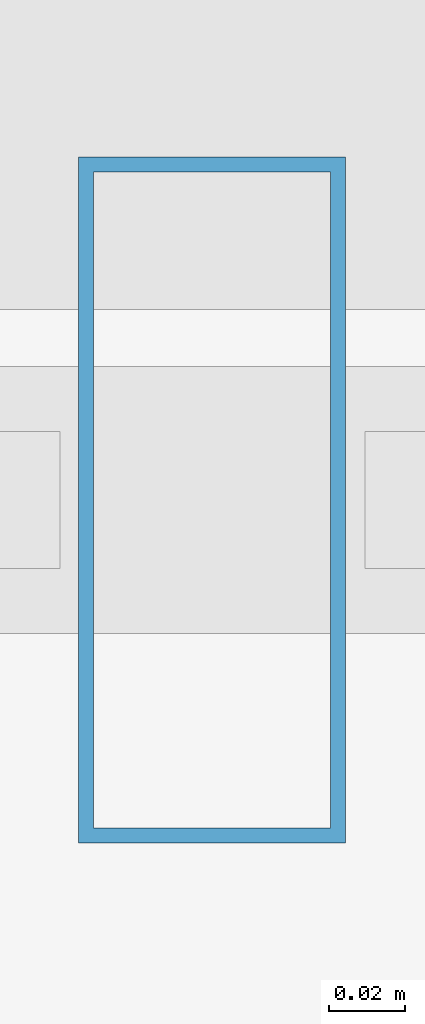
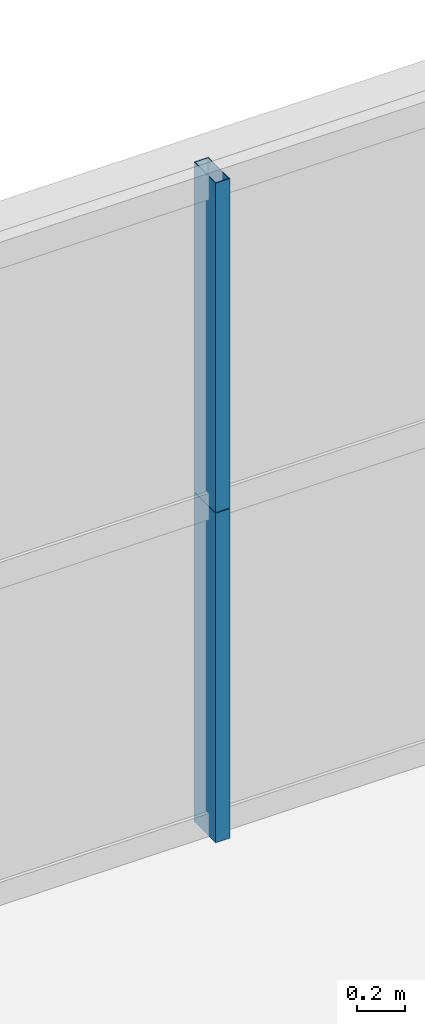
# One storey, part 28 of 43: 2 members, 1 element without a shape of its own.
"""IFC4 building model written with IfcOpenShell, lengths in metres."""

import ifcopenshell
import ifcopenshell.guid

model = None  # the IFC model being written
_history = None  # IfcOwnerHistory: only IFC2X3 demands one
_inside = {}  # id of a spatial element -> (the spatial element, [elements in it])
_under = {}  # id of a project, library or spatial element -> (it, [spatial elements below it])
_declared = {}  # id of a project -> (the project, [libraries it declares])
_typed = {}  # id of a type object -> (the type object, [elements of that type])
_made_of = {}  # id of a material, layer set ... -> (it, [elements and type objects made of it])


def new_model(schema):
    """Start an empty IFC model of exactly this schema.

    Asked for "IFC4X3", IfcOpenShell would pick the latest addendum, in which some entities
    have other attributes; the version numbers below select the first issue.
    IFC2X3 requires an IfcOwnerHistory on every rooted entity: one is made here for all.
    """
    global model, _history
    if schema == "IFC4X3":
        model = ifcopenshell.file(schema_version=(4, 3, 0, 0))
    else:
        model = ifcopenshell.file(schema=schema)
    _inside.clear()
    _under.clear()
    _declared.clear()
    _typed.clear()
    _made_of.clear()
    _history = None
    if model.schema == "IFC2X3":
        org = make("IfcOrganization", Name="unknown")
        user = make(
            "IfcPersonAndOrganization",
            ThePerson=make("IfcPerson", FamilyName="unknown"),
            TheOrganization=org,
        )
        app = make(
            "IfcApplication",
            ApplicationDeveloper=org,
            Version="unknown",
            ApplicationFullName="unknown",
            ApplicationIdentifier="unknown",
        )
        _history = make(
            "IfcOwnerHistory",
            OwningUser=user,
            OwningApplication=app,
            ChangeAction="ADDED",
            CreationDate=0,
        )
    return model


def make(cls, **values):
    """One entity of the class cls with the attributes given. An attribute that is None is left unset."""
    return model.create_entity(
        cls, **{name: value for name, value in values.items() if value is not None}
    )


def rooted(cls, **values):
    """An entity with a GlobalId (a new one), such as an element, a storey or a relation."""
    return make(cls, GlobalId=ifcopenshell.guid.new(), OwnerHistory=_history, **values)


def si_unit(unit_type, name, prefix=None):
    """IfcSIUnit, for example si_unit("LENGTHUNIT", "METRE", prefix="MILLI")."""
    return make("IfcSIUnit", UnitType=unit_type, Prefix=prefix, Name=name)


def assignment(units):
    """IfcUnitAssignment: the units of a project."""
    return None if units is None else make("IfcUnitAssignment", Units=units)


def point(xyz):
    """IfcCartesianPoint."""
    return None if xyz is None else make("IfcCartesianPoint", Coordinates=xyz)


def direction(xyz):
    """IfcDirection."""
    return None if xyz is None else make("IfcDirection", DirectionRatios=xyz)


def frame(location, z_axis=None, x_axis=None):
    """IfcAxis2Placement3D, a coordinate frame: its origin and axes. An axis left out is left unset."""
    return make(
        "IfcAxis2Placement3D",
        Location=point(location),
        Axis=direction(z_axis),
        RefDirection=direction(x_axis),
    )


def frame_2d(location, x_axis=None):
    """IfcAxis2Placement2D, a coordinate frame in the plane: its origin and x axis."""
    return make(
        "IfcAxis2Placement2D", Location=point(location), RefDirection=direction(x_axis)
    )


def origin():
    """The frame at (0, 0, 0) with its axes left unset."""
    return frame((0.0, 0.0, 0.0))


def origin_2d():
    """The frame at (0, 0) in the plane with its x axis left unset."""
    return frame_2d((0.0, 0.0))


def place(relative_to, where):
    """IfcLocalPlacement: puts the frame where relative to a parent placement (None: the world)."""
    return make(
        "IfcLocalPlacement", PlacementRelTo=relative_to, RelativePlacement=where
    )


def context(
    kind, dimensions, precision=None, world=None, true_north=None, identifier=None
):
    """IfcGeometricRepresentationContext, for example the 3D "Model" context."""
    return make(
        "IfcGeometricRepresentationContext",
        ContextIdentifier=identifier,
        ContextType=kind,
        CoordinateSpaceDimension=dimensions,
        Precision=precision,
        WorldCoordinateSystem=world,
        TrueNorth=true_north,
    )


def subcontext(parent, identifier, kind, view, scale=None):
    """IfcGeometricRepresentationSubContext, for example "Body" below "Model"."""
    return make(
        "IfcGeometricRepresentationSubContext",
        ContextIdentifier=identifier,
        ContextType=kind,
        ParentContext=parent,
        TargetScale=scale,
        TargetView=view,
    )


def project(units=None, contexts=None):
    """IfcProject with its units and contexts."""
    return rooted(
        "IfcProject",
        Name="project",
        RepresentationContexts=contexts,
        UnitsInContext=assignment(units),
    )


def spatial(cls, under=None, at=None, **own):
    """A site, building, storey or space (cls), placed at a placement, below another one or the project."""
    s = rooted(cls, ObjectPlacement=at, **own)
    if under is not None:
        _under.setdefault(under.id(), (under, []))[1].append(s)
    return s


def profile(cls, at=None, kind="AREA", **sizes):
    """A parametric profile (cls). Its sizes go by their IFC names, for example OverallWidth=200.0."""
    return make(cls, ProfileType=kind, Position=at, **sizes)


def hollow_rectangle(**sizes):
    """IfcRectangleHollowProfileDef."""
    return profile("IfcRectangleHollowProfileDef", **sizes)


def extrude(swept, where, along, depth):
    """IfcExtrudedAreaSolid: the profile swept, set in the frame where, extruded along a direction by depth."""
    return make(
        "IfcExtrudedAreaSolid",
        SweptArea=swept,
        Position=where,
        ExtrudedDirection=direction(along),
        Depth=depth,
    )


def shape(context_of_items, identifier, shape_type, items):
    """IfcShapeRepresentation: the items that make up one representation, for example the "Body"."""
    return make(
        "IfcShapeRepresentation",
        ContextOfItems=context_of_items,
        RepresentationIdentifier=identifier,
        RepresentationType=shape_type,
        Items=items,
    )


def source(mapping_origin, context_of_items, identifier, shape_type, items):
    """IfcRepresentationMap: a shape defined once, which mapped items show again and again."""
    return make(
        "IfcRepresentationMap",
        MappingOrigin=mapping_origin,
        MappedRepresentation=shape(context_of_items, identifier, shape_type, items),
    )


def transform(
    local_origin,
    x_axis=None,
    y_axis=None,
    z_axis=None,
    scale=None,
    scale2=None,
    scale3=None,
    uniform=True,
):
    """IfcCartesianTransformationOperator3D, or its non-uniform kind. x_axis, y_axis, z_axis: its Axis1, 2, 3."""
    if uniform:
        return make(
            "IfcCartesianTransformationOperator3D",
            Axis1=direction(x_axis),
            Axis2=direction(y_axis),
            LocalOrigin=point(local_origin),
            Scale=scale,
            Axis3=direction(z_axis),
        )
    return make(
        "IfcCartesianTransformationOperator3DnonUniform",
        Axis1=direction(x_axis),
        Axis2=direction(y_axis),
        LocalOrigin=point(local_origin),
        Scale=scale,
        Axis3=direction(z_axis),
        Scale2=scale2,
        Scale3=scale3,
    )


def mapped(mapping_source, mapping_target):
    """IfcMappedItem: shows the shape of a source again, moved by a transform."""
    return make(
        "IfcMappedItem", MappingSource=mapping_source, MappingTarget=mapping_target
    )


def material(Name=None, Category=None):
    """IfcMaterial."""
    return make("IfcMaterial", Name=Name, Category=Category)


def layer(
    of_material, thickness, ventilated=None, Name=None, Category=None, Priority=None
):
    """IfcMaterialLayer: one layer of a wall or slab, of a material (None: an air gap)."""
    return make(
        "IfcMaterialLayer",
        Material=of_material,
        LayerThickness=thickness,
        IsVentilated=ventilated,
        Name=Name,
        Category=Category,
        Priority=Priority,
    )


def layer_set(layers, Name=None):
    """IfcMaterialLayerSet."""
    return make("IfcMaterialLayerSet", MaterialLayers=layers, LayerSetName=Name)


def material_profile(
    of_material, cross_section, Name=None, Category=None, Priority=None
):
    """IfcMaterialProfile: a cross section and its material."""
    return make(
        "IfcMaterialProfile",
        Name=Name,
        Material=of_material,
        Profile=cross_section,
        Priority=Priority,
        Category=Category,
    )


def profile_set(profiles, Name=None, composite=None):
    """IfcMaterialProfileSet."""
    return make(
        "IfcMaterialProfileSet",
        Name=Name,
        MaterialProfiles=profiles,
        CompositeProfile=composite,
    )


def made_of(thing, what):
    """Note that an element or type object is made of a material, layer set ...; save() writes the relation."""
    if what is not None:
        _made_of.setdefault(what.id(), (what, []))[1].append(thing)
    return thing


def type_object(cls, material=None, **own):
    """A type object (cls), such as IfcWallType, which elements share."""
    return made_of(rooted(cls, **own), material)


def element(
    cls,
    number,
    at=None,
    inside=None,
    cuts=None,
    type_object=None,
    material=None,
    context=None,
    identifier="Body",
    shape_type=None,
    held_by="IfcProductDefinitionShape",
    body=None,
    shapes=None,
    **own,
):
    """One element of the class cls, such as IfcWall. Its Tag is "e" and its number.

    at: its placement. inside: the storey or other place that contains it. cuts: it is an
    opening in that element (IfcRelVoidsElement). A single representation is given by context,
    identifier, shape_type and body (its items); several are given by shapes. held_by: the class
    of the entity that holds the representations. save() writes the other relations.
    """
    e = rooted(cls, Tag="e%d" % number, ObjectPlacement=at, **own)
    if body is not None:
        shapes = [shape(context, identifier, shape_type, body)]
    if shapes is not None:
        e.Representation = make(held_by, Representations=shapes)
    if inside is not None:
        _inside.setdefault(inside.id(), (inside, []))[1].append(e)
    if cuts is not None:
        rooted(
            "IfcRelVoidsElement", RelatingBuildingElement=cuts, RelatedOpeningElement=e
        )
    if type_object is not None:
        _typed.setdefault(type_object.id(), (type_object, []))[1].append(e)
    return made_of(e, material)


def aggregate(whole, parts):
    """IfcRelAggregates: a whole, such as a stair, and the parts it consists of."""
    return rooted("IfcRelAggregates", RelatingObject=whole, RelatedObjects=parts)


def save(model, path):
    """Write the relations noted so far, then the file.

    IfcRelAggregates (storeys below a building ...), IfcRelContainedInSpatialStructure (elements
    in a storey), IfcRelDefinesByType, IfcRelAssociatesMaterial and IfcRelDeclares: one each for
    every whole, place, type object, material and project.
    """
    for whole, parts in _under.values():
        aggregate(whole, parts)
    for where, things in _inside.values():
        rooted(
            "IfcRelContainedInSpatialStructure",
            RelatedElements=things,
            RelatingStructure=where,
        )
    for kind, things in _typed.values():
        rooted("IfcRelDefinesByType", RelatedObjects=things, RelatingType=kind)
    for what, things in _made_of.values():
        rooted("IfcRelAssociatesMaterial", RelatedObjects=things, RelatingMaterial=what)
    for by, libraries in _declared.values():
        rooted("IfcRelDeclares", RelatingContext=by, RelatedDefinitions=libraries)
    model.write(path)


model = new_model("IFC4")

# Units and contexts
model_context = context("Model", 3, precision=1e-05, world=origin(), true_north=direction((0.0, 1.0)))
body_context = subcontext(model_context, "Body", "Model", "MODEL_VIEW")
ifc_project = project(units=[si_unit("LENGTHUNIT", "METRE"), si_unit("AREAUNIT", "SQUARE_METRE"), si_unit("VOLUMEUNIT", "CUBIC_METRE"), si_unit("PLANEANGLEUNIT", "RADIAN"), si_unit("MASSUNIT", "GRAM", prefix="KILO"), si_unit("THERMODYNAMICTEMPERATUREUNIT", "KELVIN"), si_unit("POWERUNIT", "WATT")], contexts=[model_context])

# Site, building, storey
site_placement = place(None, origin())
site = spatial("IfcSite", under=ifc_project, at=site_placement, CompositionType="ELEMENT")
building_placement = place(site_placement, origin())
building = spatial("IfcBuilding", under=site, at=building_placement, Name="Yuzanri Waterfront Tower", CompositionType="ELEMENT")
storey_placement = place(building_placement, frame((0.0, 0.0, 64.0)))
storey = spatial("IfcBuildingStorey", under=building, at=storey_placement, Name="L16", CompositionType="ELEMENT", Elevation=64.0)

# Curtain wall, members
ifc_material_1 = material(Name="Anodized Architectural Bronze", Category="metal")
ifc_layer = layer(ifc_material_1, 0.159912109375)
ifc_layer_set = layer_set([ifc_layer], Name="Anodized Architectural Bronze")
curtain_wall_type = type_object("IfcCurtainWallType", Name="Anodized Bronze Hotel Lower-Tier Recessed Unitized Curtain Wall 8100", PredefinedType="NOTDEFINED", material=ifc_layer_set)
curtain_wall_placement = place(storey_placement, origin())
curtain_wall = element("IfcCurtainWall", 1, at=curtain_wall_placement, inside=storey, type_object=curtain_wall_type, Name="L16 Curtain Wall CW-L16-NL", PredefinedType="NOTDEFINED")
ifc_material_2 = material(Name="Anodized Architectural Bronze", Category="metal")
ifc_material_profile = material_profile(ifc_material_2, hollow_rectangle(XDim=0.070068359375, YDim=0.179931640625, WallThickness=0.00390625, at=origin_2d()), Name="CWM 70x180")
ifc_profile_set = profile_set([ifc_material_profile], Name="Anodized Architectural Bronze")
member_type = type_object("IfcMemberType", Name="Anodized Bronze Standard Curtain-Wall Mullion 70x180", PredefinedType="MULLION", material=ifc_profile_set)
shared_shape = source(origin(), body_context, "Body", "SweptSolid", [
    extrude(hollow_rectangle(XDim=0.070068359375, YDim=0.179931640625, WallThickness=0.00390625, at=origin_2d()), origin(), (0.0, 0.0, 1.0), 1.68798828125),
])
member_1_placement = place(storey_placement, frame((27.89990234375, 50.75, 0.0), z_axis=(0.0, 0.0, 1.0), x_axis=(1.0, 0.0, 0.0)))
member_1 = element("IfcMember", 2, at=member_1_placement, type_object=member_type, Name="CW-L16-NL Lower Mullion 01", PredefinedType="MULLION", context=body_context, shape_type="MappedRepresentation", body=[
    mapped(shared_shape, transform((0.0, 0.0, 0.0), scale=1.0)),
])
member_2_placement = place(storey_placement, frame((27.89990234375, 50.75, 1.69189453125), z_axis=(0.0, 0.0, 1.0), x_axis=(1.0, 0.0, 0.0)))
member_2 = element("IfcMember", 3, at=member_2_placement, type_object=member_type, Name="CW-L16-NL Upper Mullion 01", PredefinedType="MULLION", context=body_context, shape_type="MappedRepresentation", body=[
    mapped(shared_shape, transform((0.0, 0.0, 0.0), scale=1.0)),
])
aggregate(curtain_wall, [member_1, member_2])

save(model, "model.ifc")
